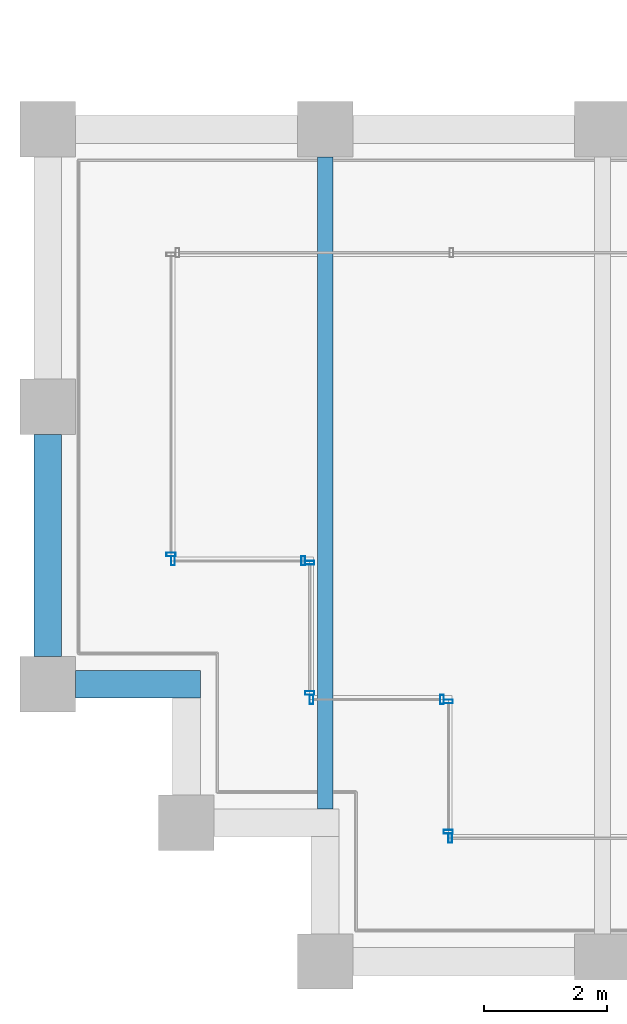
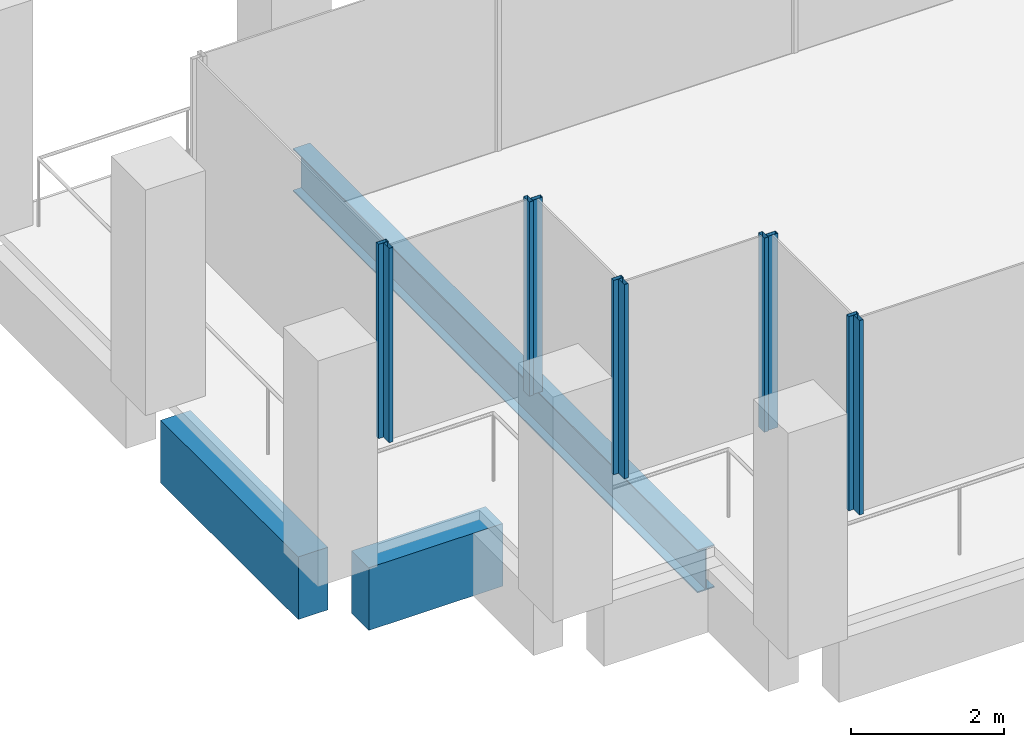
# One storey, part 2 of 40: 10 members, 3 beams, 6 elements without a shape of their own.
"""IFC4 building model written with IfcOpenShell, lengths in metres."""

from ifc_helpers import new_model, si_unit, direction, frame, origin, origin_2d, place, context, subcontext, project, spatial, rectangle, hollow_rectangle, i_section, extrude, material, material_profile, profile_set, type_object, element, aggregate, save


model = new_model("IFC4")

# Units and contexts
model_context = context("Model", 3, precision=1e-05, world=origin(), true_north=direction((0.0, 1.0)))
body_context = subcontext(model_context, "Body", "Model", "MODEL_VIEW")
ifc_project = project(units=[si_unit("LENGTHUNIT", "METRE"), si_unit("AREAUNIT", "SQUARE_METRE"), si_unit("VOLUMEUNIT", "CUBIC_METRE"), si_unit("PLANEANGLEUNIT", "RADIAN"), si_unit("MASSUNIT", "GRAM", prefix="KILO")], contexts=[model_context])

# Site, building, storey
site_placement = place(None, origin())
site = spatial("IfcSite", under=ifc_project, at=site_placement, CompositionType="ELEMENT")
building_placement = place(site_placement, origin())
building = spatial("IfcBuilding", under=site, at=building_placement, Name="Altepetl Exchange Towers", CompositionType="ELEMENT")
storey_placement = place(building_placement, frame((0.0, 0.0, 154.60009765625)))
storey = spatial("IfcBuildingStorey", under=building, at=storey_placement, Name="L38", CompositionType="ELEMENT", Elevation=154.60009765625)

# Beam
ifc_material_1 = material(Name="Steel S355", Category="steel")
ifc_material_profile_1 = material_profile(ifc_material_1, i_section(OverallWidth=0.25390625, OverallDepth=0.68408203125, WebThickness=0.012451171875, FlangeThickness=0.018798828125, at=origin_2d()), Name="W27X94")
ifc_profile_set_1 = profile_set([ifc_material_profile_1], Name="Steel S355")
beam_type_1 = type_object("IfcBeamType", Name="Floor beam W27X94", PredefinedType="BEAM", material=ifc_profile_set_1)
beam_1_placement = place(storey_placement, frame((31.5, 29.47509765625, -0.4921875), z_axis=(0.0, 1.0, 0.0), x_axis=(-1.0, 0.0, 0.0)))
element("IfcBeam", 1, at=beam_1_placement, inside=storey, type_object=beam_type_1, Name="bm:A:L38:012", PredefinedType="BEAM", context=body_context, shape_type="SweptSolid", body=[
    extrude(i_section(OverallWidth=0.25390625, OverallDepth=0.68408203125, WebThickness=0.012451171875, FlangeThickness=0.018798828125, at=origin_2d()), origin(), (0.0, 0.0, 1.0), 10.574951171875),
])

# Curtain wall, member
ifc_material_2 = material(Name="Aluminium 6063-T6 glazing", Category="aluminium")
curtain_wall_type = type_object("IfcCurtainWallType", Name="Loggia glazing system", PredefinedType="NOTDEFINED", material=ifc_material_2)
curtain_wall_1_placement = place(storey_placement, origin())
curtain_wall_1 = element("IfcCurtainWall", 2, at=curtain_wall_1_placement, inside=storey, type_object=curtain_wall_type, Name="CW1 run", PredefinedType="NOTDEFINED")
ifc_material_3 = material(Name="Aluminium 6063-T6", Category="aluminium")
ifc_material_profile_2 = material_profile(ifc_material_3, hollow_rectangle(XDim=0.06005859375, YDim=0.14990234375, WallThickness=0.0029296875, at=origin_2d()), Name="Mullion 60x150 aluminium")
ifc_profile_set_2 = profile_set([ifc_material_profile_2], Name="Aluminium 6063-T6")
member_type = type_object("IfcMemberType", Name="Mullion 60x150 aluminium", PredefinedType="MULLION", material=ifc_profile_set_2)
member_1_placement = place(storey_placement, frame((29.0, 33.60498046875, 0.0), z_axis=(0.0, 0.0, 1.0), x_axis=(0.0, -1.0, 0.0)))
member_1 = element("IfcMember", 3, at=member_1_placement, type_object=member_type, Name="MU1 mullion", PredefinedType="MULLION", context=body_context, shape_type="SweptSolid", body=[
    extrude(hollow_rectangle(XDim=0.06005859375, YDim=0.14990234375, WallThickness=0.0029296875, at=origin_2d()), origin(), (0.0, 0.0, 1.0), 3.099853515625),
])
aggregate(curtain_wall_1, [member_1])

# Curtain wall, members
curtain_wall_2_placement = place(storey_placement, origin())
curtain_wall_2 = element("IfcCurtainWall", 4, at=curtain_wall_2_placement, inside=storey, type_object=curtain_wall_type, Name="CW1 run", PredefinedType="NOTDEFINED")
member_2_placement = place(storey_placement, frame((29.030029296875, 33.5, 0.0)))
member_2 = element("IfcMember", 5, at=member_2_placement, type_object=member_type, Name="MU1 mullion", PredefinedType="MULLION", context=body_context, shape_type="SweptSolid", body=[
    extrude(hollow_rectangle(XDim=0.06005859375, YDim=0.14990234375, WallThickness=0.0029296875, at=origin_2d()), origin(), (0.0, 0.0, 1.0), 3.099853515625),
])
member_3_placement = place(storey_placement, frame((31.14501953125, 33.5, 0.0)))
member_3 = element("IfcMember", 6, at=member_3_placement, type_object=member_type, Name="MU1 mullion", PredefinedType="MULLION", context=body_context, shape_type="SweptSolid", body=[
    extrude(hollow_rectangle(XDim=0.06005859375, YDim=0.14990234375, WallThickness=0.0029296875, at=origin_2d()), origin(), (0.0, 0.0, 1.0), 3.099853515625),
])
aggregate(curtain_wall_2, [member_2, member_3])

curtain_wall_3_placement = place(storey_placement, origin())
curtain_wall_3 = element("IfcCurtainWall", 7, at=curtain_wall_3_placement, inside=storey, type_object=curtain_wall_type, Name="CW1 run", PredefinedType="NOTDEFINED")
member_4_placement = place(storey_placement, frame((31.25, 33.469970703125, 0.0), z_axis=(0.0, 0.0, 1.0), x_axis=(0.0, -1.0, 0.0)))
member_4 = element("IfcMember", 8, at=member_4_placement, type_object=member_type, Name="MU1 mullion", PredefinedType="MULLION", context=body_context, shape_type="SweptSolid", body=[
    extrude(hollow_rectangle(XDim=0.06005859375, YDim=0.14990234375, WallThickness=0.0029296875, at=origin_2d()), origin(), (0.0, 0.0, 1.0), 3.099853515625),
])
member_5_placement = place(storey_placement, frame((31.25, 31.35498046875, 0.0), z_axis=(0.0, 0.0, 1.0), x_axis=(0.0, -1.0, 0.0)))
member_5 = element("IfcMember", 9, at=member_5_placement, type_object=member_type, Name="MU1 mullion", PredefinedType="MULLION", context=body_context, shape_type="SweptSolid", body=[
    extrude(hollow_rectangle(XDim=0.06005859375, YDim=0.14990234375, WallThickness=0.0029296875, at=origin_2d()), origin(), (0.0, 0.0, 1.0), 3.099853515625),
])
aggregate(curtain_wall_3, [member_4, member_5])

curtain_wall_4_placement = place(storey_placement, origin())
curtain_wall_4 = element("IfcCurtainWall", 10, at=curtain_wall_4_placement, inside=storey, type_object=curtain_wall_type, Name="CW1 run", PredefinedType="NOTDEFINED")
member_6_placement = place(storey_placement, frame((31.280029296875, 31.25, 0.0)))
member_6 = element("IfcMember", 11, at=member_6_placement, type_object=member_type, Name="MU1 mullion", PredefinedType="MULLION", context=body_context, shape_type="SweptSolid", body=[
    extrude(hollow_rectangle(XDim=0.06005859375, YDim=0.14990234375, WallThickness=0.0029296875, at=origin_2d()), origin(), (0.0, 0.0, 1.0), 3.099853515625),
])
member_7_placement = place(storey_placement, frame((33.39501953125, 31.25, 0.0)))
member_7 = element("IfcMember", 12, at=member_7_placement, type_object=member_type, Name="MU1 mullion", PredefinedType="MULLION", context=body_context, shape_type="SweptSolid", body=[
    extrude(hollow_rectangle(XDim=0.06005859375, YDim=0.14990234375, WallThickness=0.0029296875, at=origin_2d()), origin(), (0.0, 0.0, 1.0), 3.099853515625),
])
aggregate(curtain_wall_4, [member_6, member_7])

curtain_wall_5_placement = place(storey_placement, origin())
curtain_wall_5 = element("IfcCurtainWall", 13, at=curtain_wall_5_placement, inside=storey, type_object=curtain_wall_type, Name="CW1 run", PredefinedType="NOTDEFINED")
member_8_placement = place(storey_placement, frame((33.5, 31.219970703125, 0.0), z_axis=(0.0, 0.0, 1.0), x_axis=(0.0, -1.0, 0.0)))
member_8 = element("IfcMember", 14, at=member_8_placement, type_object=member_type, Name="MU1 mullion", PredefinedType="MULLION", context=body_context, shape_type="SweptSolid", body=[
    extrude(hollow_rectangle(XDim=0.06005859375, YDim=0.14990234375, WallThickness=0.0029296875, at=origin_2d()), origin(), (0.0, 0.0, 1.0), 3.099853515625),
])
member_9_placement = place(storey_placement, frame((33.5, 29.10498046875, 0.0), z_axis=(0.0, 0.0, 1.0), x_axis=(0.0, -1.0, 0.0)))
member_9 = element("IfcMember", 15, at=member_9_placement, type_object=member_type, Name="MU1 mullion", PredefinedType="MULLION", context=body_context, shape_type="SweptSolid", body=[
    extrude(hollow_rectangle(XDim=0.06005859375, YDim=0.14990234375, WallThickness=0.0029296875, at=origin_2d()), origin(), (0.0, 0.0, 1.0), 3.099853515625),
])
aggregate(curtain_wall_5, [member_8, member_9])

# Curtain wall, member
curtain_wall_6_placement = place(storey_placement, origin())
curtain_wall_6 = element("IfcCurtainWall", 16, at=curtain_wall_6_placement, inside=storey, type_object=curtain_wall_type, Name="CW1 run", PredefinedType="NOTDEFINED")
member_10_placement = place(storey_placement, frame((33.530029296875, 29.0, 0.0)))
member_10 = element("IfcMember", 17, at=member_10_placement, type_object=member_type, Name="MU1 mullion", PredefinedType="MULLION", context=body_context, shape_type="SweptSolid", body=[
    extrude(hollow_rectangle(XDim=0.06005859375, YDim=0.14990234375, WallThickness=0.0029296875, at=origin_2d()), origin(), (0.0, 0.0, 1.0), 3.099853515625),
])
aggregate(curtain_wall_6, [member_10])

# Beams
ifc_material_4 = material(Name="Concrete C50/60 precast with cantera blanca facing", Category="concrete")
ifc_material_profile_3 = material_profile(ifc_material_4, rectangle(XDim=0.449951171875, YDim=1.0, at=origin_2d()), Name="450 x 1000")
ifc_profile_set_3 = profile_set([ifc_material_profile_3], Name="Concrete C50/60 precast with cantera blanca facing")
beam_type_2 = type_object("IfcBeamType", Name="Spandrel beam 450x1000 cantera blanca", PredefinedType="SPANDREL", material=ifc_profile_set_3)
beam_2_placement = place(storey_placement, frame((27.0, 35.550048828125, -0.650146484375), z_axis=(0.0, -1.0, 0.0), x_axis=(1.0, 0.0, 0.0)))
element("IfcBeam", 18, at=beam_2_placement, inside=storey, type_object=beam_type_2, Name="sp:A:L38:037", PredefinedType="SPANDREL", context=body_context, shape_type="SweptSolid", body=[
    extrude(rectangle(XDim=0.449951171875, YDim=1.0, at=origin_2d()), origin(), (0.0, 0.0, 1.0), 3.60009765625),
])
beam_3_placement = place(storey_placement, frame((27.449951171875, 31.5, -0.650146484375), z_axis=(1.0, 0.0, 0.0), x_axis=(0.0, 1.0, 0.0)))
element("IfcBeam", 19, at=beam_3_placement, inside=storey, type_object=beam_type_2, Name="sp:A:L38:038", PredefinedType="SPANDREL", context=body_context, shape_type="SweptSolid", body=[
    extrude(rectangle(XDim=0.449951171875, YDim=1.0, at=origin_2d()), origin(), (0.0, 0.0, 1.0), 2.025146484375),
])

save(model, "model.ifc")
